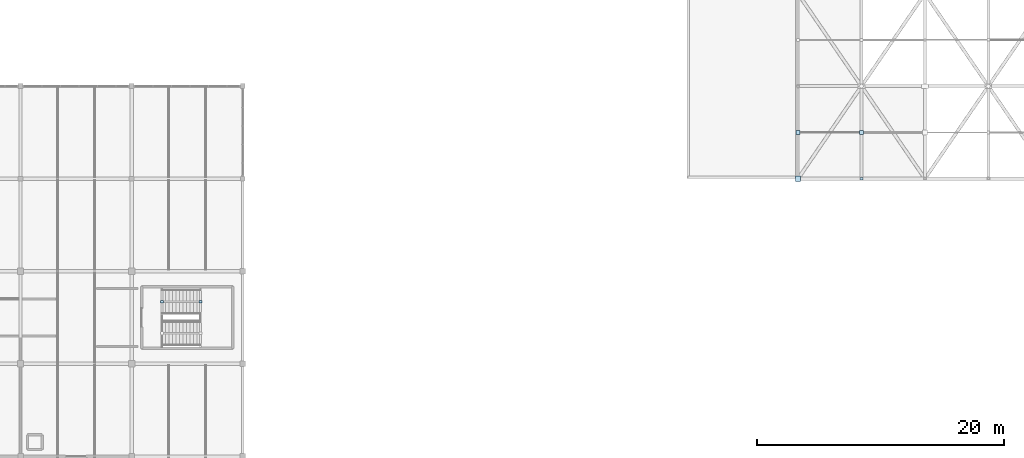
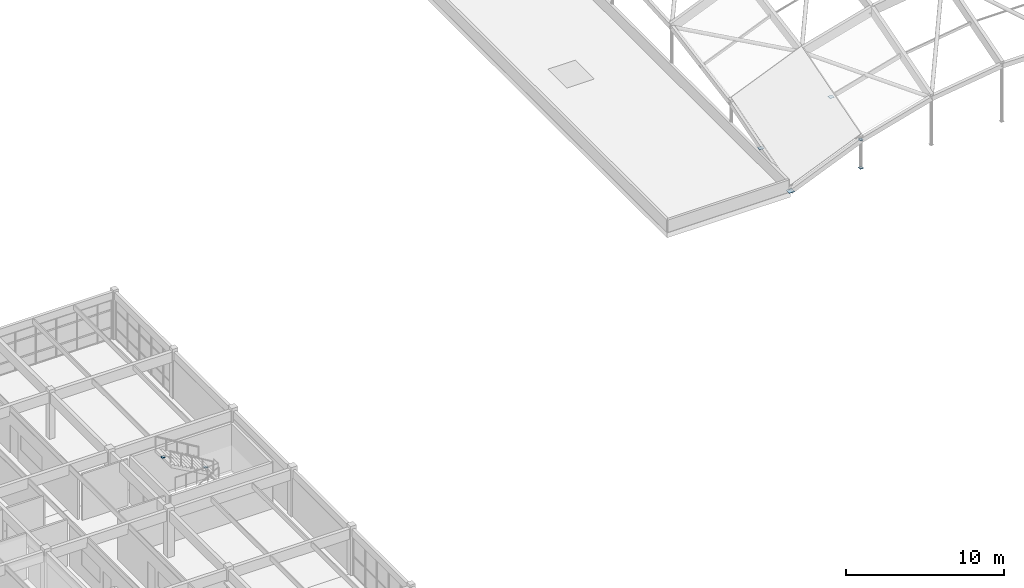
# One storey, part 68 of 81: 7 plates.
"""IFC4 building model written with IfcOpenShell, lengths in metres."""

from ifc_helpers import new_model, si_unit, direction, frame, origin, origin_2d, place, context, subcontext, project, spatial, rectangle, extrude, material, layer, layer_set, type_object, element, save


model = new_model("IFC4")

# Units and contexts
model_context = context("Model", 3, precision=1e-05, world=origin(), true_north=direction((0.0, 1.0)))
body_context = subcontext(model_context, "Body", "Model", "MODEL_VIEW")
ifc_project = project(units=[si_unit("LENGTHUNIT", "METRE"), si_unit("AREAUNIT", "SQUARE_METRE"), si_unit("VOLUMEUNIT", "CUBIC_METRE"), si_unit("PLANEANGLEUNIT", "RADIAN"), si_unit("MASSUNIT", "GRAM", prefix="KILO")], contexts=[model_context])

# Site, building, storey
site_placement = place(None, origin())
site = spatial("IfcSite", under=ifc_project, at=site_placement, CompositionType="ELEMENT")
building_placement = place(site_placement, origin())
building = spatial("IfcBuilding", under=site, at=building_placement, Name="Marnridge Secondary College", CompositionType="ELEMENT")
storey_placement = place(building_placement, frame((0.0, 0.0, 8.5)))
storey = spatial("IfcBuildingStorey", under=building, at=storey_placement, Name="L02", CompositionType="ELEMENT", Elevation=8.5)

# Plates
ifc_material_1 = material(Name="Structural steel plate Grade 350 (AS/NZS 3678, fy = 350 MPa <=12mm, 340 MPa 12-20mm, 330 MPa 20-50mm)", Category="steel")
ifc_layer_1 = layer(ifc_material_1, 0.011962890625)
ifc_layer_set_1 = layer_set([ifc_layer_1], Name="PT-CAP-EXT")
plate_type_1 = type_object("IfcPlateType", Name="PT-CAP-EXT", PredefinedType="SHEET", material=ifc_layer_set_1)
for number, where, z_axis, x_axis, name in (
    (1, (140.142822265625, 75.0, 0.0859375), (0.0, 0.0, 1.0), (1.0, 0.0, 0.0), "Tube end cap GSP-0006-EC1"),
    (2, (140.142822265625, 75.0, 2.26708984375), (0.0, 0.0, 1.0), (1.0, 0.0, 0.0), "Tube end cap GSP-0006-EC2"),
):
    element("IfcPlate", number, at=place(storey_placement, frame(where, z_axis=z_axis, x_axis=x_axis)), inside=storey, type_object=plate_type_1, Name=name, PredefinedType="SHEET", context=body_context, shape_type="SweptSolid", body=[
        extrude(rectangle(XDim=0.239013671875, YDim=0.239013671875, at=origin_2d()), origin(), (0.0, 0.0, 1.0), 0.011962890625),
    ])
plate_placement = place(storey_placement, frame((135.0, 75.001953125, 0.0947265625), z_axis=(0.0, 0.0, 1.0), x_axis=(0.0, 1.0, 0.0)))
element("IfcPlate", 3, at=plate_placement, inside=storey, type_object=plate_type_1, Name="Tube end cap GR-0001-EC1", PredefinedType="SHEET", context=body_context, shape_type="SweptSolid", body=[
    extrude(rectangle(XDim=0.419921875, YDim=0.419921875, at=origin_2d()), origin(), (0.0, 0.0, 1.0), 0.011962890625),
])
for number, where, z_axis, x_axis, name in (
    (4, (135.001708984375, 78.75, 1.1259765625), (0.0, 0.0, 1.0), (1.0, 0.0, 0.0), "Tube end cap PR-0023-EC1"),
    (5, (140.14111328125, 78.75, 3.279296875), (0.0, 0.0, 1.0), (1.0, 0.0, 0.0), "Tube end cap PR-0023-EC2"),
):
    element("IfcPlate", number, at=place(storey_placement, frame(where, z_axis=z_axis, x_axis=x_axis)), inside=storey, type_object=plate_type_1, Name=name, PredefinedType="SHEET", context=body_context, shape_type="SweptSolid", body=[
        extrude(rectangle(XDim=0.320068359375, YDim=0.320068359375, at=origin_2d()), origin(), (0.0, 0.0, 1.0), 0.011962890625),
    ])
ifc_material_2 = material(Name="Structural steel plate Grade 350 (AS/NZS 3678, fy = 350 MPa <=12mm, 340 MPa 12-20mm, 330 MPa 20-50mm)", Category="steel")
ifc_layer_2 = layer(ifc_material_2, 0.010009765625)
ifc_layer_set_2 = layer_set([ifc_layer_2], Name="PT-CAP-INT")
plate_type_2 = type_object("IfcPlateType", Name="PT-CAP-INT", PredefinedType="SHEET", material=ifc_layer_set_2)
for number, where, z_axis, x_axis, name in (
    (6, (86.583251953125, 65.030029296875, 1.7880859375), (0.0, 0.0, 1.0), (-1.0, 0.0, 0.0), "Tube end cap STR-016-EC1"),
    (7, (83.45166015625, 65.030029296875, 3.65576171875), (0.0, 0.0, 1.0), (-1.0, 0.0, 0.0), "Tube end cap STR-016-EC2"),
):
    element("IfcPlate", number, at=place(storey_placement, frame(where, z_axis=z_axis, x_axis=x_axis)), inside=storey, type_object=plate_type_2, Name=name, PredefinedType="SHEET", context=body_context, shape_type="SweptSolid", body=[
        extrude(rectangle(XDim=0.219970703125, YDim=0.219970703125, at=origin_2d()), origin(), (0.0, 0.0, 1.0), 0.010009765625),
    ])

save(model, "model.ifc")
